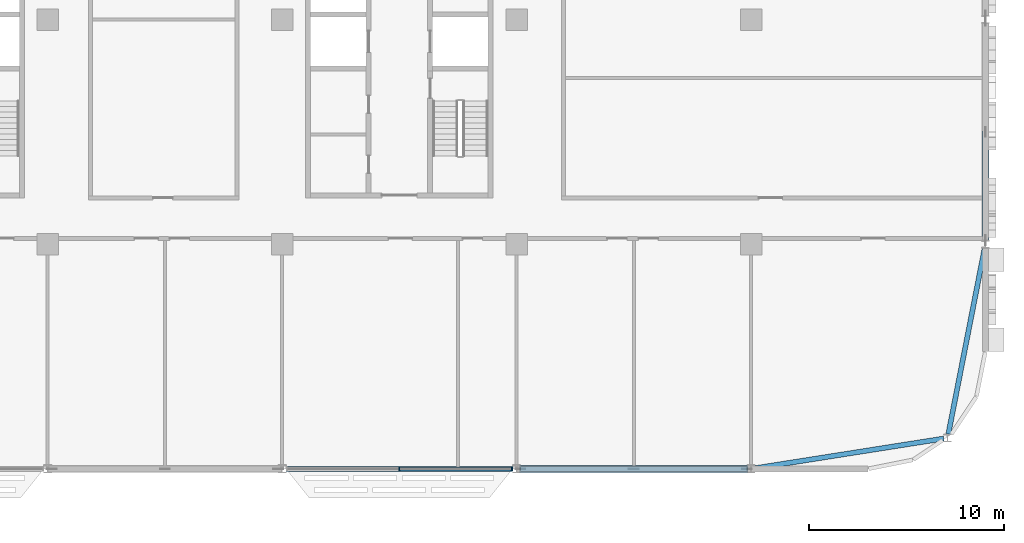
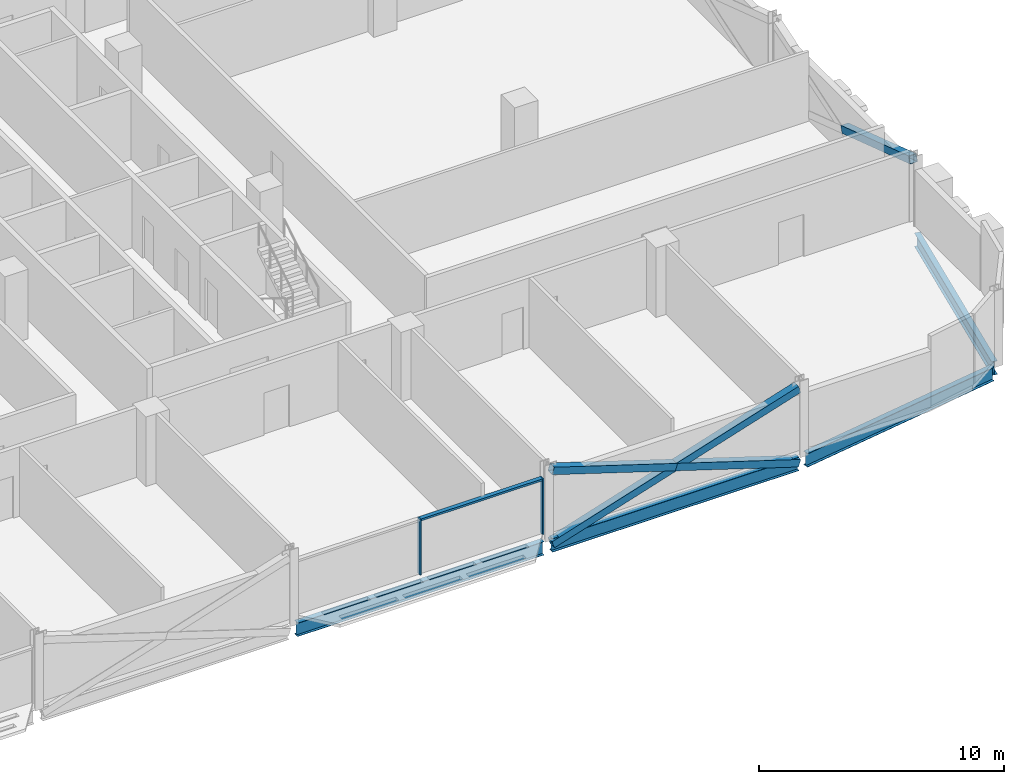
# One storey, part 9 of 29: 7 members, 4 beams, 1 element without a shape of its own.
"""IFC4 building model written with IfcOpenShell, lengths in metres."""

from ifc_helpers import new_model, si_unit, direction, frame, origin, origin_2d, place, context, subcontext, project, spatial, rectangle, hollow_rectangle, i_section, extrude, material, material_profile, profile_set, type_object, element, aggregate, save


model = new_model("IFC4")

# Units and contexts
model_context = context("Model", 3, precision=1e-05, world=origin(), true_north=direction((0.0, 1.0)))
body_context = subcontext(model_context, "Body", "Model", "MODEL_VIEW")
ifc_project = project(units=[si_unit("LENGTHUNIT", "METRE"), si_unit("AREAUNIT", "SQUARE_METRE"), si_unit("VOLUMEUNIT", "CUBIC_METRE"), si_unit("PLANEANGLEUNIT", "RADIAN"), si_unit("MASSUNIT", "GRAM", prefix="KILO")], contexts=[model_context])

# Site, building, storey
site_placement = place(None, origin())
site = spatial("IfcSite", under=ifc_project, at=site_placement, CompositionType="ELEMENT")
building_placement = place(site_placement, origin())
building = spatial("IfcBuilding", under=site, at=building_placement, Name="Mahtab Terrace Research Tower", CompositionType="ELEMENT")
storey_placement = place(building_placement, frame((0.0, 0.0, 197.699951171875)))
storey = spatial("IfcBuildingStorey", under=building, at=storey_placement, Name="L47", CompositionType="ELEMENT", Elevation=197.699951171875)

# Members
ifc_material_1 = material(Name="Steel ASTM A500 Gr C", Category="steel")
ifc_material_profile_1 = material_profile(ifc_material_1, hollow_rectangle(XDim=0.355712890625, YDim=0.355712890625, WallThickness=0.015869140625, at=origin_2d()), Name="HSS14X14X5/8")
ifc_profile_set_1 = profile_set([ifc_material_profile_1], Name="Steel ASTM A500 Gr C")
member_type_1 = type_object("IfcMemberType", Name="HSS 14x14x5/8 brace XB141458", PredefinedType="BRACE", material=ifc_profile_set_1)
member_1_placement = place(storey_placement, frame((30.20068359375, -23.0, -0.615478515625), z_axis=(0.953343380425, 0.0, 0.301888057067), x_axis=(0.0, 1.0, 0.0)))
element("IfcMember", 1, at=member_1_placement, inside=storey, type_object=member_type_1, Name="Exoskeleton brace L47 19 a", PredefinedType="BRACE", context=body_context, shape_type="SweptSolid", body=[
    extrude(hollow_rectangle(XDim=0.355712890625, YDim=0.355712890625, WallThickness=0.015869140625, at=origin_2d()), origin(), (0.0, 0.0, 1.0), 12.166259765625),
])
for number, where, z_axis, x_axis, name in (
    (2, (41.79931640625, -23.0, -0.615478515625), (-0.953343380425, 0.0, 0.301888057067), (0.0, -1.0, 0.0), "Exoskeleton brace L47 19 b1"),
    (3, (36.0, -23.0, 1.220947265625), (-0.953343380425, 0.0, 0.301888057067), (0.0, -1.0, 0.0), "Exoskeleton brace L47 19 b2"),
):
    element("IfcMember", number, at=place(storey_placement, frame(where, z_axis=z_axis, x_axis=x_axis)), inside=storey, type_object=member_type_1, Name=name, PredefinedType="BRACE", context=body_context, shape_type="SweptSolid", body=[
        extrude(hollow_rectangle(XDim=0.355712890625, YDim=0.355712890625, WallThickness=0.015869140625, at=origin_2d()), origin(), (0.0, 0.0, 1.0), 6.083251953125),
    ])
member_2_placement = place(storey_placement, frame((54.0, -5.75, 1.220947265625), z_axis=(0.0, -0.949498689047, 0.313770998496), x_axis=(1.0, 0.0, 0.0)))
element("IfcMember", 4, at=member_2_placement, inside=storey, type_object=member_type_1, Name="Exoskeleton brace L47 22 b2", PredefinedType="BRACE", context=body_context, shape_type="SweptSolid", body=[
    extrude(hollow_rectangle(XDim=0.355712890625, YDim=0.355712890625, WallThickness=0.015869140625, at=origin_2d()), origin(), (0.0, 0.0, 1.0), 5.845703125),
])

# Curtain wall, members
ifc_material_2 = material(Name="Laboratory ribbon curtain wall")
curtain_wall_type = type_object("IfcCurtainWallType", Name="Laboratory ribbon curtain wall", PredefinedType="NOTDEFINED", material=ifc_material_2)
curtain_wall_placement = place(storey_placement, origin())
curtain_wall = element("IfcCurtainWall", 5, at=curtain_wall_placement, inside=storey, type_object=curtain_wall_type, Name="EN.L47.13.28", PredefinedType="NOTDEFINED")
ifc_material_3 = material(Name="Natural anodised aluminium", Category="aluminium")
ifc_material_profile_2 = material_profile(ifc_material_3, rectangle(XDim=0.199951171875, YDim=0.06494140625, at=origin_2d()), Name="MULLION 65x200")
ifc_profile_set_2 = profile_set([ifc_material_profile_2], Name="Natural anodised aluminium")
member_type_2 = type_object("IfcMemberType", Name="Laboratory ribbon curtain wall mullion", PredefinedType="MULLION", material=ifc_profile_set_2)
member_3_placement = place(storey_placement, frame((24.0, -23.0, 0.0), z_axis=(0.0, 0.0, 1.0), x_axis=(0.0, 1.0, 0.0)))
member_3 = element("IfcMember", 6, at=member_3_placement, type_object=member_type_2, Name="CWL-6 mullion 2", PredefinedType="MULLION", context=body_context, shape_type="SweptSolid", body=[
    extrude(rectangle(XDim=0.199951171875, YDim=0.06494140625, at=origin_2d()), origin(), (0.0, 0.0, 1.0), 2.78173828125),
])
member_4_placement = place(storey_placement, frame((29.767578125, -23.0, 0.0), z_axis=(0.0, 0.0, 1.0), x_axis=(0.0, 1.0, 0.0)))
member_4 = element("IfcMember", 7, at=member_4_placement, type_object=member_type_2, Name="CWL-6 mullion 3", PredefinedType="MULLION", context=body_context, shape_type="SweptSolid", body=[
    extrude(rectangle(XDim=0.199951171875, YDim=0.06494140625, at=origin_2d()), origin(), (0.0, 0.0, 1.0), 2.78173828125),
])
ifc_material_profile_3 = material_profile(ifc_material_3, rectangle(XDim=0.199951171875, YDim=0.10009765625, at=origin_2d()), Name="TRANSOM 100x200")
ifc_profile_set_3 = profile_set([ifc_material_profile_3], Name="Natural anodised aluminium")
member_type_3 = type_object("IfcMemberType", Name="Laboratory ribbon curtain wall transom", PredefinedType="USERDEFINED", material=ifc_profile_set_3)
member_5_placement = place(storey_placement, frame((24.032470703125, -23.0, 2.73193359375), z_axis=(1.0, 0.0, 0.0), x_axis=(0.0, 1.0, 0.0)))
member_5 = element("IfcMember", 8, at=member_5_placement, type_object=member_type_3, Name="CWL-6 transom 2", ObjectType="TRANSOM", PredefinedType="USERDEFINED", context=body_context, shape_type="SweptSolid", body=[
    extrude(rectangle(XDim=0.199951171875, YDim=0.10009765625, at=origin_2d()), origin(), (0.0, 0.0, 1.0), 5.70263671875),
])
aggregate(curtain_wall, [member_3, member_4, member_5])

# Beams
ifc_material_4 = material(Name="Steel ASTM A992 Gr 50", Category="steel")
ifc_material_profile_4 = material_profile(ifc_material_4, i_section(OverallWidth=0.25390625, OverallDepth=0.67822265625, WebThickness=0.01171875, FlangeThickness=0.016357421875, at=origin_2d()), Name="W27X84")
ifc_profile_set_4 = profile_set([ifc_material_profile_4], Name="Steel ASTM A992 Gr 50")
beam_type = type_object("IfcBeamType", Name="W27x84 beam BS2784", PredefinedType="BEAM", material=ifc_profile_set_4)
for number, where, z_axis, x_axis, name in (
    (9, (18.20068359375, -23.0, -0.678955078125), (1.0, 0.0, 0.0), (0.0, 1.0, 0.0), "Spandrel beam L47 18"),
    (10, (30.20068359375, -23.0, -0.678955078125), (1.0, 0.0, 0.0), (0.0, 1.0, 0.0), "Spandrel beam L47 19"),
):
    element("IfcBeam", number, at=place(storey_placement, frame(where, z_axis=z_axis, x_axis=x_axis)), inside=storey, type_object=beam_type, Name=name, PredefinedType="BEAM", context=body_context, shape_type="SweptSolid", body=[
        extrude(i_section(OverallWidth=0.25390625, OverallDepth=0.67822265625, WebThickness=0.01171875, FlangeThickness=0.016357421875, at=origin_2d()), origin(), (0.0, 0.0, 1.0), 11.5986328125),
    ])
beam_1_placement = place(storey_placement, frame((42.20068359375, -22.968505859375, -0.678955078125), z_axis=(0.987831689273, 0.155526697604, 0.0), x_axis=(-0.155526697604, 0.987831689273, 0.0)))
element("IfcBeam", 11, at=beam_1_placement, inside=storey, type_object=beam_type, Name="Spandrel beam L47 20", PredefinedType="BEAM", context=body_context, shape_type="SweptSolid", body=[
    extrude(i_section(OverallWidth=0.25390625, OverallDepth=0.67822265625, WebThickness=0.01171875, FlangeThickness=0.016357421875, at=origin_2d()), origin(), (0.0, 0.0, 1.0), 9.779541015625),
])
beam_2_placement = place(storey_placement, frame((52.10107421875, -21.216552734375, -0.678955078125), z_axis=(0.191795474732, 0.981434916779, 0.0), x_axis=(-0.981434916779, 0.191795474732, 0.0)))
element("IfcBeam", 12, at=beam_2_placement, inside=storey, type_object=beam_type, Name="Spandrel beam L47 21", PredefinedType="BEAM", context=body_context, shape_type="SweptSolid", body=[
    extrude(i_section(OverallWidth=0.25390625, OverallDepth=0.67822265625, WebThickness=0.01171875, FlangeThickness=0.016357421875, at=origin_2d()), origin(), (0.0, 0.0, 1.0), 9.697021484375),
])

save(model, "model.ifc")
